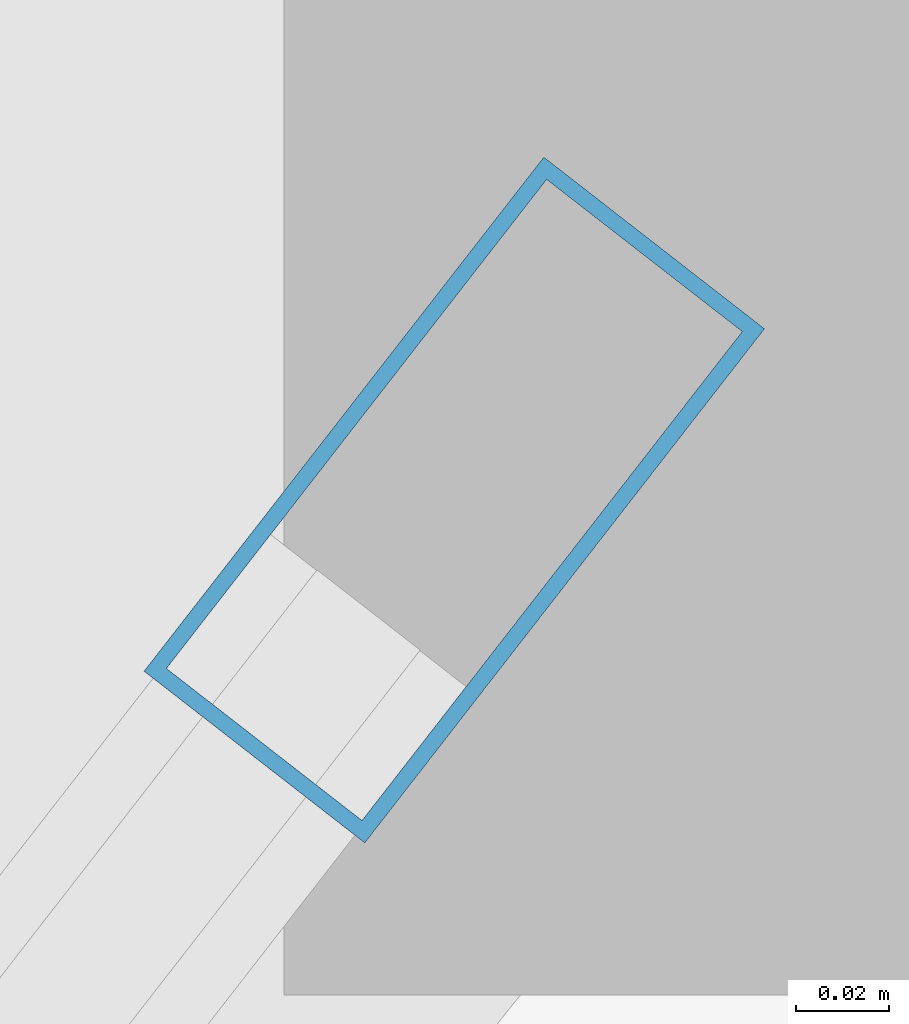
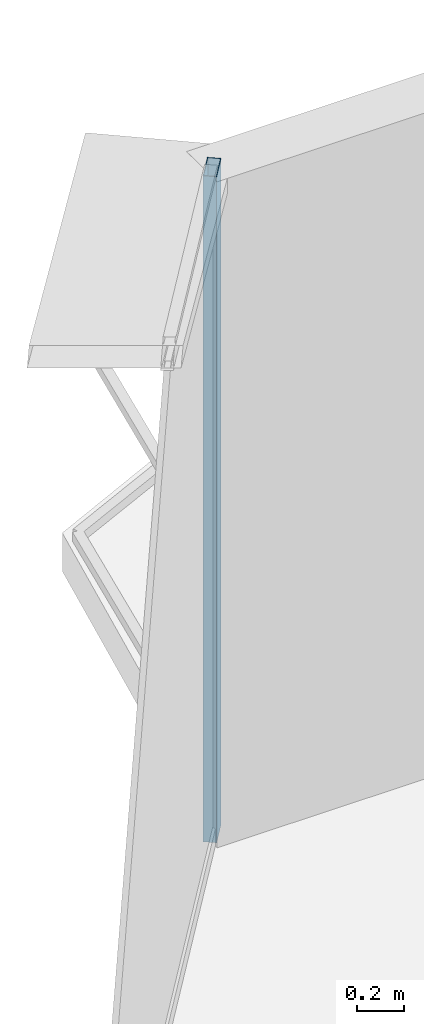
# One storey, part 22 of 33: 1 member, 1 element without a shape of its own.
"""IFC4 building model written with IfcOpenShell, lengths in metres."""

from ifc_helpers import new_model, si_unit, direction, frame, origin, origin_2d, place, context, subcontext, project, spatial, hollow_rectangle, extrude, source, transform, mapped, material, layer, layer_set, material_profile, profile_set, type_object, element, aggregate, save


model = new_model("IFC4")

# Units and contexts
model_context = context("Model", 3, precision=1e-05, world=origin(), true_north=direction((0.0, 1.0)))
body_context = subcontext(model_context, "Body", "Model", "MODEL_VIEW")
ifc_project = project(units=[si_unit("LENGTHUNIT", "METRE"), si_unit("AREAUNIT", "SQUARE_METRE"), si_unit("VOLUMEUNIT", "CUBIC_METRE"), si_unit("PLANEANGLEUNIT", "RADIAN"), si_unit("MASSUNIT", "GRAM", prefix="KILO"), si_unit("THERMODYNAMICTEMPERATUREUNIT", "KELVIN"), si_unit("POWERUNIT", "WATT")], contexts=[model_context])

# Site, building, storey
site_placement = place(None, origin())
site = spatial("IfcSite", under=ifc_project, at=site_placement, CompositionType="ELEMENT")
building_placement = place(site_placement, origin())
building = spatial("IfcBuilding", under=site, at=building_placement, Name="Yunzhuo Pagoda Commons", CompositionType="ELEMENT")
storey_placement = place(building_placement, frame((0.0, 0.0, 307.39990234375)))
storey = spatial("IfcBuildingStorey", under=building, at=storey_placement, Name="L77", CompositionType="ELEMENT", Elevation=307.39990234375)

# Curtain wall, member
ifc_material = material(Name="Anodized aluminium 6063-T6", Category="aluminium")
ifc_layer = layer(ifc_material, 0.139892578125)
ifc_layer_set = layer_set([ifc_layer], Name="Anodized aluminium 6063-T6")
curtain_wall_type = type_object("IfcCurtainWallType", Name="CW-HI High-Zone Ribbon Curtain Wall", PredefinedType="NOTDEFINED", material=ifc_layer_set)
curtain_wall_placement = place(storey_placement, origin())
curtain_wall = element("IfcCurtainWall", 1, at=curtain_wall_placement, inside=storey, type_object=curtain_wall_type, Name="L77 curtain wall CW-L77-F3B1", PredefinedType="NOTDEFINED")
ifc_material_profile = material_profile(ifc_material, hollow_rectangle(XDim=0.06005859375, YDim=0.139892578125, WallThickness=0.00341796875, at=origin_2d()), Name="Anodized aluminium 6063-T6")
ifc_profile_set = profile_set([ifc_material_profile], Name="Anodized aluminium 6063-T6")
member_type = type_object("IfcMemberType", Name="CW-HI-M Mullion RHS 140x60x3.5", PredefinedType="MULLION", material=ifc_profile_set)
shared_shape = source(origin(), body_context, "Body", "SweptSolid", [
    extrude(hollow_rectangle(XDim=0.06005859375, YDim=0.139892578125, WallThickness=0.00341796875, at=origin_2d()), origin(), (0.0, 0.0, 1.0), 3.47021484375),
])
member_placement = place(storey_placement, frame((44.598876953125, 74.764404296875, 0.0), z_axis=(0.0, 0.0, 1.0), x_axis=(0.78943032712, -0.613840173517, 0.0)))
member = element("IfcMember", 2, at=member_placement, type_object=member_type, Name="CW mullion 1", PredefinedType="MULLION", context=body_context, shape_type="MappedRepresentation", body=[
    mapped(shared_shape, transform((0.0, 0.0, 0.0), scale=1.0)),
])
aggregate(curtain_wall, [member])

save(model, "model.ifc")
